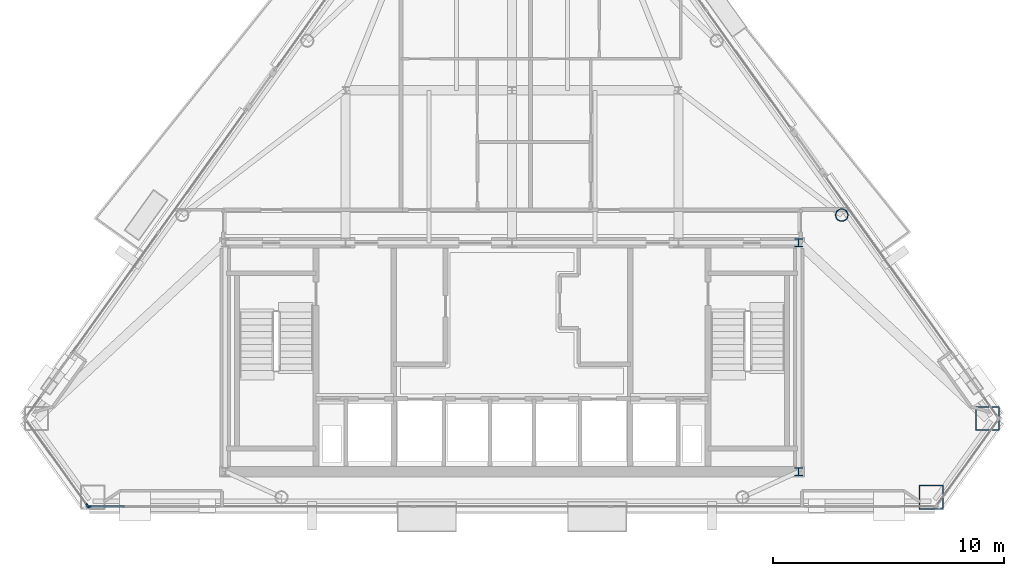
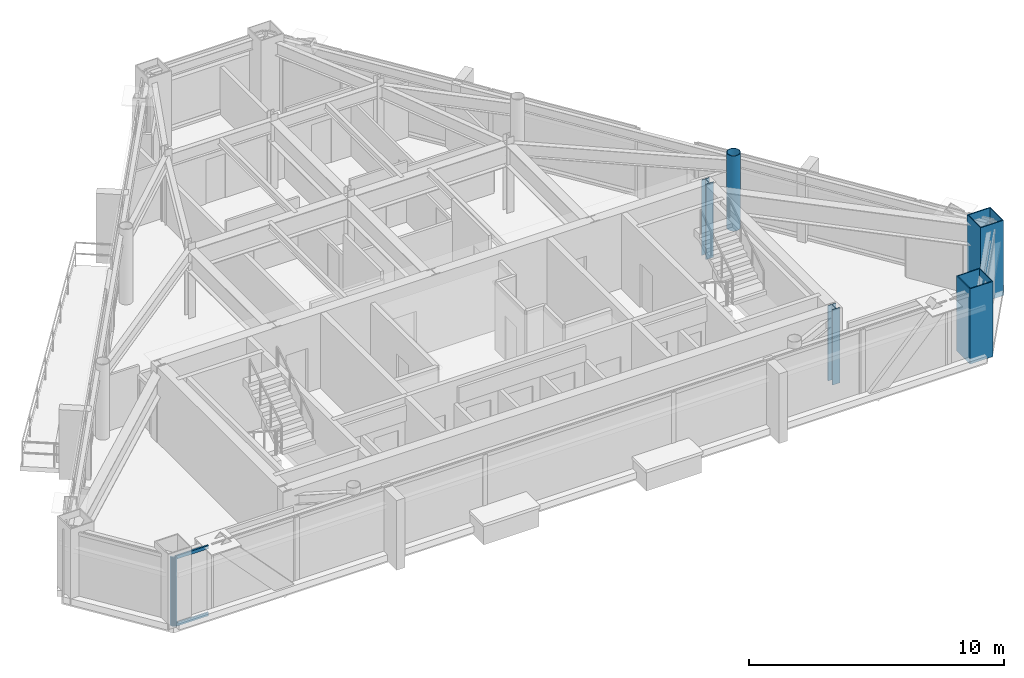
# One storey, part 2 of 11: 5 columns, 4 members, 2 elements without a shape of their own.
"""IFC4 building model written with IfcOpenShell, lengths in metres."""

from ifc_helpers import new_model, si_unit, direction, frame, origin, origin_2d, place, context, subcontext, project, spatial, rectangle, hollow_rectangle, hollow_circle, i_section, extrude, material, layer, layer_set, material_profile, profile_set, type_object, element, aggregate, save


model = new_model("IFC4")

# Units and contexts
model_context = context("Model", 3, precision=1e-05, world=origin(), true_north=direction((0.0, 1.0)))
body_context = subcontext(model_context, "Body", "Model", "MODEL_VIEW")
ifc_project = project(units=[si_unit("LENGTHUNIT", "METRE"), si_unit("AREAUNIT", "SQUARE_METRE"), si_unit("VOLUMEUNIT", "CUBIC_METRE"), si_unit("PLANEANGLEUNIT", "RADIAN"), si_unit("MASSUNIT", "GRAM", prefix="KILO")], contexts=[model_context])

# Site, building, storey
site_placement = place(None, origin())
site = spatial("IfcSite", under=ifc_project, at=site_placement, CompositionType="ELEMENT")
building_placement = place(site_placement, origin())
building = spatial("IfcBuilding", under=site, at=building_placement, Name="Talgorran Terracotta Tower", CompositionType="ELEMENT")
storey_placement = place(building_placement, frame((0.0, 0.0, 240.60009765625)))
storey = spatial("IfcBuildingStorey", under=building, at=storey_placement, Name="L63", CompositionType="ELEMENT", Elevation=240.60009765625)

# Columns
ifc_material_1 = material(Name="Steel S355 (300PLUS)", Category="steel")
ifc_material_profile_1 = material_profile(ifc_material_1, i_section(OverallWidth=0.35205078125, OverallDepth=0.35888671875, WebThickness=0.01806640625, FlangeThickness=0.02587890625, at=origin_2d()), Name="350WC197")
ifc_profile_set_1 = profile_set([ifc_material_profile_1], Name="Steel S355 (300PLUS)")
column_type_1 = type_object("IfcColumnType", Name="COL_350WC197", PredefinedType="COLUMN", material=ifc_profile_set_1)
for number, where, z_axis, x_axis, name in (
    (1, (12.39990234375, -14.10009765625, 0.0), (0.0, 0.0, 1.0), (1.0, 0.0, 0.0), "L63 Core Boundary Column CC2"),
    (2, (12.39990234375, -4.199951171875, 0.0), (0.0, 0.0, 1.0), (1.0, 0.0, 0.0), "L63 Core Boundary Column CC3"),
):
    element("IfcColumn", number, at=place(storey_placement, frame(where, z_axis=z_axis, x_axis=x_axis)), inside=storey, type_object=column_type_1, Name=name, PredefinedType="COLUMN", context=body_context, shape_type="SweptSolid", body=[
        extrude(i_section(OverallWidth=0.35205078125, OverallDepth=0.35888671875, WebThickness=0.01806640625, FlangeThickness=0.02587890625, at=origin_2d()), origin(), (0.0, 0.0, 1.0), 3.599853515625),
    ])
ifc_material_2 = material(Name="Steel Grade 350 (350L0)", Category="steel")
ifc_material_profile_2 = material_profile(ifc_material_2, hollow_rectangle(XDim=1.050048828125, YDim=1.050048828125, WallThickness=0.044921875, at=origin_2d()), Name="CFT1050X1050X45")
ifc_profile_set_2 = profile_set([ifc_material_profile_2], Name="Steel Grade 350 (350L0)")
column_type_2 = type_object("IfcColumnType", Name="COL_CFT_1050", PredefinedType="COLUMN", material=ifc_profile_set_2)
for number, where, z_axis, x_axis, name in (
    (3, (18.13720703125, -15.207763671875, 0.0), (0.0, 0.0, 1.0), (1.0, 0.0, 0.0), "L63 Corner CFT Mega-Column MC3"),
    (4, (20.5791015625, -11.802001953125, 0.0), (0.0, 0.0, 1.0), (1.0, 0.0, 0.0), "L63 Corner CFT Mega-Column MC4"),
):
    element("IfcColumn", number, at=place(storey_placement, frame(where, z_axis=z_axis, x_axis=x_axis)), inside=storey, type_object=column_type_2, Name=name, PredefinedType="COLUMN", context=body_context, shape_type="SweptSolid", body=[
        extrude(hollow_rectangle(XDim=1.050048828125, YDim=1.050048828125, WallThickness=0.044921875, at=origin_2d()), origin(), (0.0, 0.0, 1.0), 3.599853515625),
    ])
ifc_material_profile_3 = material_profile(ifc_material_2, hollow_circle(Radius=0.27490234375, WallThickness=0.02392578125, at=origin_2d()), Name="CHS550X24")
ifc_profile_set_3 = profile_set([ifc_material_profile_3], Name="Steel Grade 350 (350L0)")
column_type_3 = type_object("IfcColumnType", Name="COL_CHS_550", PredefinedType="COLUMN", material=ifc_profile_set_3)
column_placement = place(storey_placement, frame((14.26806640625, -2.999267578125, 0.0), z_axis=(0.0, 0.0, 1.0), x_axis=(1.0, 0.0, 0.0)))
element("IfcColumn", 5, at=column_placement, inside=storey, type_object=column_type_3, Name="L63 Facet Perimeter Column FC3", PredefinedType="COLUMN", context=body_context, shape_type="SweptSolid", body=[
    extrude(hollow_circle(Radius=0.27490234375, WallThickness=0.02392578125, at=origin_2d()), origin(), (0.0, 0.0, 1.0), 3.599853515625),
])

# Curtain wall, member
ifc_material_3 = material(Name="High-Wind Unitised Glazing", Category="glass")
ifc_layer = layer(ifc_material_3, 0.2099609375, Name="CW_SYS3_RES_HIGH")
ifc_layer_set = layer_set([ifc_layer], Name="High-Wind Unitised Glazing")
curtain_wall_type = type_object("IfcCurtainWallType", Name="CW_SYS3_RES_HIGH", PredefinedType="NOTDEFINED", material=ifc_layer_set)
curtain_wall_1_placement = place(storey_placement, origin())
curtain_wall_1 = element("IfcCurtainWall", 6, at=curtain_wall_1_placement, inside=storey, type_object=curtain_wall_type, Name="CW-L63-F0", PredefinedType="NOTDEFINED")
ifc_material_4 = material(Name="Architectural Aluminium 6063-T6", Category="aluminium")
ifc_material_profile_4 = material_profile(ifc_material_4, rectangle(XDim=0.070068359375, YDim=0.199951171875, at=origin_2d()), Name="CWM70X200")
ifc_profile_set_4 = profile_set([ifc_material_profile_4], Name="Architectural Aluminium 6063-T6")
member_type_1 = type_object("IfcMemberType", Name="MUL_70X200", PredefinedType="MULLION", material=ifc_profile_set_4)
member_1_placement = place(storey_placement, frame((-18.363037109375, -15.579345703125, 0.0), z_axis=(0.0, 0.0, 1.0), x_axis=(0.812714993724, 0.582661427396, 0.0)))
member_1 = element("IfcMember", 7, at=member_1_placement, type_object=member_type_1, Name="CW-L63-0 mullion 2", PredefinedType="MULLION", context=body_context, shape_type="SweptSolid", body=[
    extrude(rectangle(XDim=0.070068359375, YDim=0.199951171875, at=origin_2d()), origin(), (0.0, 0.0, 1.0), 3.27978515625),
])
aggregate(curtain_wall_1, [member_1])

# Curtain wall, members
curtain_wall_2_placement = place(storey_placement, origin())
curtain_wall_2 = element("IfcCurtainWall", 8, at=curtain_wall_2_placement, inside=storey, type_object=curtain_wall_type, Name="CW-L63-F1", PredefinedType="NOTDEFINED")
member_2_placement = place(storey_placement, frame((-18.3076171875, -15.60791015625, 0.0), z_axis=(0.0, 0.0, 1.0), x_axis=(0.0, 1.0, 0.0)))
member_2 = element("IfcMember", 9, at=member_2_placement, type_object=member_type_1, Name="CW-L63-1 mullion 1", PredefinedType="MULLION", context=body_context, shape_type="SweptSolid", body=[
    extrude(rectangle(XDim=0.070068359375, YDim=0.199951171875, at=origin_2d()), origin(), (0.0, 0.0, 1.0), 3.27978515625),
])
ifc_material_profile_5 = material_profile(ifc_material_4, rectangle(XDim=0.070068359375, YDim=0.159912109375, at=origin_2d()), Name="CWT70X160")
ifc_profile_set_5 = profile_set([ifc_material_profile_5], Name="Architectural Aluminium 6063-T6")
member_type_2 = type_object("IfcMemberType", Name="TRN_70X160", PredefinedType="USERDEFINED", material=ifc_profile_set_5)
member_3_placement = place(storey_placement, frame((-18.272705078125, -15.60791015625, 0.034912109375), z_axis=(1.0, 0.0, 0.0), x_axis=(0.0, 1.0, 0.0)))
member_3 = element("IfcMember", 10, at=member_3_placement, type_object=member_type_2, Name="CW-L63-1 transom 1.1", ObjectType="TRANSOM", PredefinedType="USERDEFINED", context=body_context, shape_type="SweptSolid", body=[
    extrude(rectangle(XDim=0.070068359375, YDim=0.159912109375, at=origin_2d()), origin(), (0.0, 0.0, 1.0), 1.5),
])
member_4_placement = place(storey_placement, frame((-18.272705078125, -15.60791015625, 3.244873046875), z_axis=(1.0, 0.0, 0.0), x_axis=(0.0, 1.0, 0.0)))
member_4 = element("IfcMember", 11, at=member_4_placement, type_object=member_type_2, Name="CW-L63-1 transom 1.2", ObjectType="TRANSOM", PredefinedType="USERDEFINED", context=body_context, shape_type="SweptSolid", body=[
    extrude(rectangle(XDim=0.070068359375, YDim=0.159912109375, at=origin_2d()), origin(), (0.0, 0.0, 1.0), 1.5),
])
aggregate(curtain_wall_2, [member_2, member_3, member_4])

save(model, "model.ifc")
